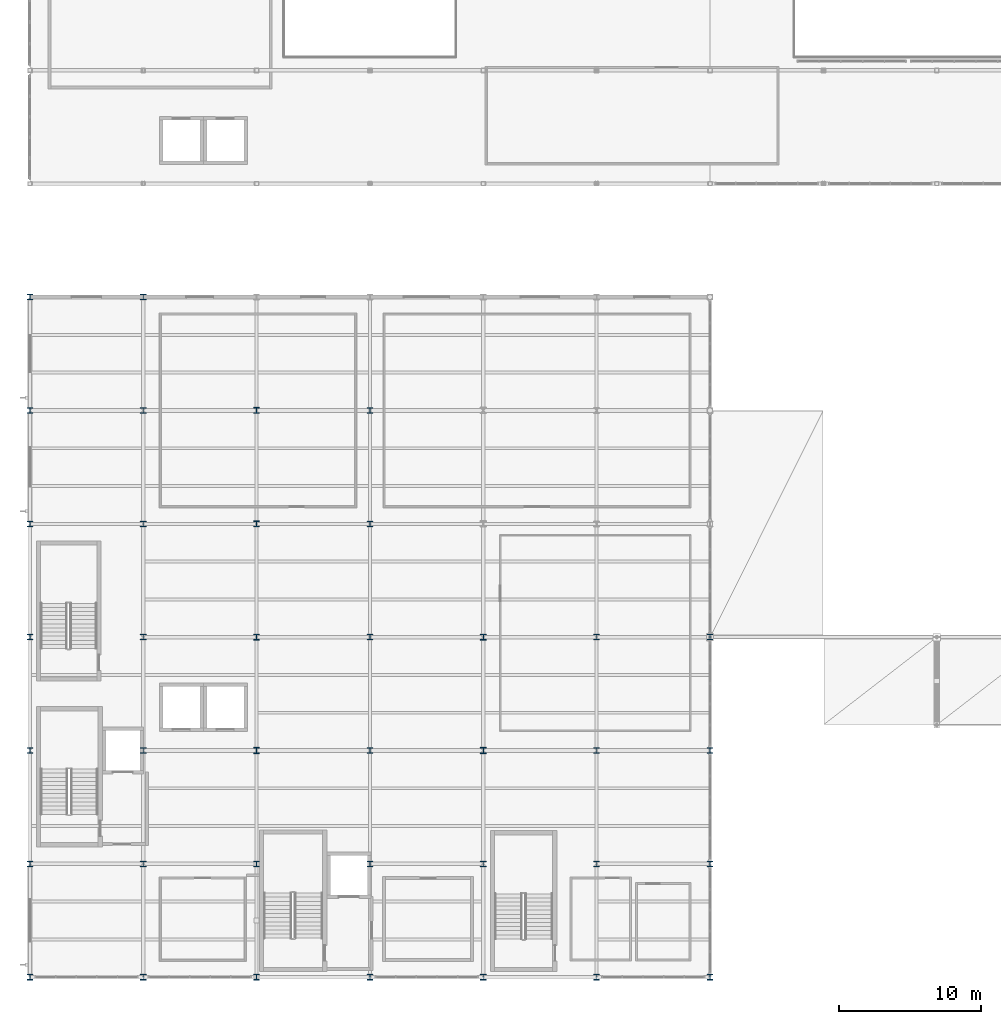
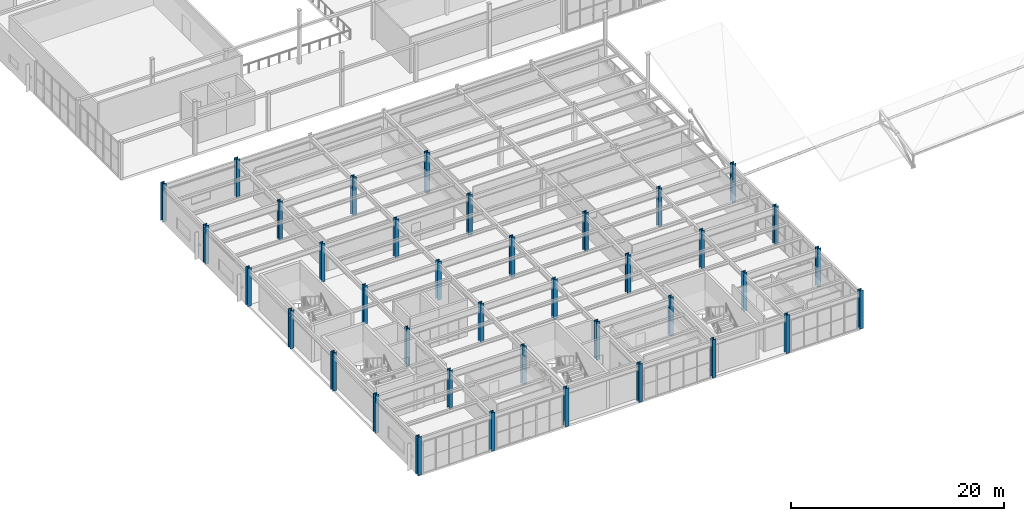
# One storey, part 1 of 83: 38 columns.
"""IFC4 building model written with IfcOpenShell, lengths in metres."""

from ifc_helpers import new_model, si_unit, direction, frame, origin, origin_2d, place, context, subcontext, project, spatial, i_section, extrude, material, material_profile, profile_set, type_object, element, save


model = new_model("IFC4")

# Units and contexts
model_context = context("Model", 3, precision=1e-05, world=origin(), true_north=direction((0.0, 1.0)))
body_context = subcontext(model_context, "Body", "Model", "MODEL_VIEW")
ifc_project = project(units=[si_unit("LENGTHUNIT", "METRE"), si_unit("AREAUNIT", "SQUARE_METRE"), si_unit("VOLUMEUNIT", "CUBIC_METRE"), si_unit("PLANEANGLEUNIT", "RADIAN"), si_unit("MASSUNIT", "GRAM", prefix="KILO")], contexts=[model_context])

# Site, building, storey
site_placement = place(None, origin())
site = spatial("IfcSite", under=ifc_project, at=site_placement, CompositionType="ELEMENT")
building_placement = place(site_placement, origin())
building = spatial("IfcBuilding", under=site, at=building_placement, Name="Drelvath Fold Interchange", CompositionType="ELEMENT")
storey_placement = place(building_placement, frame((0.0, 0.0, 11.199951171875)))
storey = spatial("IfcBuildingStorey", under=building, at=storey_placement, Name="L02", CompositionType="ELEMENT", Elevation=11.199951171875)

# Columns
ifc_material = material(Name="Steel ASTM A992 Grade 50", Category="steel")
ifc_material_profile_1 = material_profile(ifc_material, i_section(OverallWidth=0.39892578125, OverallDepth=0.39306640625, WebThickness=0.022705078125, FlangeThickness=0.03662109375, at=origin_2d()), Name="W14X193")
ifc_profile_set_1 = profile_set([ifc_material_profile_1], Name="Steel ASTM A992 Grade 50")
column_type_1 = type_object("IfcColumnType", Name="COL-W14X193", PredefinedType="COLUMN", material=ifc_profile_set_1)
for number, where, z_axis, x_axis, name in (
    (1, (4.0, 3.0, 0.0), (0.0, 0.0, 1.0), (1.0, 0.0, 0.0), "L02 column (4,3)"),
    (2, (4.0, 11.0, 0.0), (0.0, 0.0, 1.0), (1.0, 0.0, 0.0), "L02 column (4,11)"),
    (3, (4.0, 19.0, 0.0), (0.0, 0.0, 1.0), (1.0, 0.0, 0.0), "L02 column (4,19)"),
    (4, (4.0, 27.0, 0.0), (0.0, 0.0, 1.0), (1.0, 0.0, 0.0), "L02 column (4,27)"),
    (5, (4.0, 35.0, 0.0), (0.0, 0.0, 1.0), (1.0, 0.0, 0.0), "L02 column (4,35)"),
    (6, (4.0, 43.0, 0.0), (0.0, 0.0, 1.0), (1.0, 0.0, 0.0), "L02 column (4,43)"),
    (7, (4.0, 51.0, 0.0), (0.0, 0.0, 1.0), (1.0, 0.0, 0.0), "L02 column (4,51)"),
    (8, (12.0, 3.0, 0.0), (0.0, 0.0, 1.0), (1.0, 0.0, 0.0), "L02 column (12,3)"),
    (9, (12.0, 11.0, 0.0), (0.0, 0.0, 1.0), (1.0, 0.0, 0.0), "L02 column (12,11)"),
    (10, (12.0, 19.0, 0.0), (0.0, 0.0, 1.0), (1.0, 0.0, 0.0), "L02 column (12,19)"),
    (11, (12.0, 27.0, 0.0), (0.0, 0.0, 1.0), (1.0, 0.0, 0.0), "L02 column (12,27)"),
    (12, (12.0, 35.0, 0.0), (0.0, 0.0, 1.0), (1.0, 0.0, 0.0), "L02 column (12,35)"),
    (13, (12.0, 43.0, 0.0), (0.0, 0.0, 1.0), (1.0, 0.0, 0.0), "L02 column (12,43)"),
    (14, (12.0, 51.0, 0.0), (0.0, 0.0, 1.0), (1.0, 0.0, 0.0), "L02 column (12,51)"),
    (15, (20.0, 3.0, 0.0), (0.0, 0.0, 1.0), (1.0, 0.0, 0.0), "L02 column (20,3)"),
    (16, (20.0, 11.0, 0.0), (0.0, 0.0, 1.0), (1.0, 0.0, 0.0), "L02 column (20,11)"),
    (17, (28.0, 3.0, 0.0), (0.0, 0.0, 1.0), (1.0, 0.0, 0.0), "L02 column (28,3)"),
    (18, (28.0, 11.0, 0.0), (0.0, 0.0, 1.0), (1.0, 0.0, 0.0), "L02 column (28,11)"),
):
    element("IfcColumn", number, at=place(storey_placement, frame(where, z_axis=z_axis, x_axis=x_axis)), inside=storey, type_object=column_type_1, Name=name, PredefinedType="COLUMN", context=body_context, shape_type="SweptSolid", body=[
        extrude(i_section(OverallWidth=0.39892578125, OverallDepth=0.39306640625, WebThickness=0.022705078125, FlangeThickness=0.03662109375, at=origin_2d()), origin(), (0.0, 0.0, 1.0), 4.400146484375),
    ])
for number, where, z_axis, x_axis, name in (
    (19, (28.0, 19.0, -0.25), (0.0, 0.0, 1.0), (1.0, 0.0, 0.0), "L02 column (28,19)"),
    (20, (28.0, 27.0, -0.25), (0.0, 0.0, 1.0), (1.0, 0.0, 0.0), "L02 column (28,27)"),
    (21, (28.0, 35.0, -0.25), (0.0, 0.0, 1.0), (1.0, 0.0, 0.0), "L02 column (28,35)"),
    (22, (28.0, 43.0, -0.25), (0.0, 0.0, 1.0), (1.0, 0.0, 0.0), "L02 column (28,43)"),
):
    element("IfcColumn", number, at=place(storey_placement, frame(where, z_axis=z_axis, x_axis=x_axis)), inside=storey, type_object=column_type_1, Name=name, PredefinedType="COLUMN", context=body_context, shape_type="SweptSolid", body=[
        extrude(i_section(OverallWidth=0.39892578125, OverallDepth=0.39306640625, WebThickness=0.022705078125, FlangeThickness=0.03662109375, at=origin_2d()), origin(), (0.0, 0.0, 1.0), 4.650146484375),
    ])
for number, where, z_axis, x_axis, name in (
    (23, (36.0, 3.0, 0.0), (0.0, 0.0, 1.0), (1.0, 0.0, 0.0), "L02 column (36,3)"),
    (24, (36.0, 11.0, 0.0), (0.0, 0.0, 1.0), (1.0, 0.0, 0.0), "L02 column (36,11)"),
    (25, (44.0, 3.0, 0.0), (0.0, 0.0, 1.0), (1.0, 0.0, 0.0), "L02 column (44,3)"),
    (26, (44.0, 11.0, 0.0), (0.0, 0.0, 1.0), (1.0, 0.0, 0.0), "L02 column (44,11)"),
    (27, (44.0, 19.0, 0.0), (0.0, 0.0, 1.0), (1.0, 0.0, 0.0), "L02 column (44,19)"),
    (28, (44.0, 27.0, 0.0), (0.0, 0.0, 1.0), (1.0, 0.0, 0.0), "L02 column (44,27)"),
    (29, (52.0, 3.0, 0.0), (0.0, 0.0, 1.0), (1.0, 0.0, 0.0), "L02 column (52,3)"),
    (30, (52.0, 11.0, 0.0), (0.0, 0.0, 1.0), (1.0, 0.0, 0.0), "L02 column (52,11)"),
    (31, (52.0, 19.0, 0.0), (0.0, 0.0, 1.0), (1.0, 0.0, 0.0), "L02 column (52,19)"),
    (32, (52.0, 27.0, 0.0), (0.0, 0.0, 1.0), (1.0, 0.0, 0.0), "L02 column (52,27)"),
):
    element("IfcColumn", number, at=place(storey_placement, frame(where, z_axis=z_axis, x_axis=x_axis)), inside=storey, type_object=column_type_1, Name=name, PredefinedType="COLUMN", context=body_context, shape_type="SweptSolid", body=[
        extrude(i_section(OverallWidth=0.39892578125, OverallDepth=0.39306640625, WebThickness=0.022705078125, FlangeThickness=0.03662109375, at=origin_2d()), origin(), (0.0, 0.0, 1.0), 4.400146484375),
    ])
ifc_material_profile_2 = material_profile(ifc_material, i_section(OverallWidth=0.408935546875, OverallDepth=0.425048828125, WebThickness=0.03271484375, FlangeThickness=0.052490234375, at=origin_2d()), Name="W14X283")
ifc_profile_set_2 = profile_set([ifc_material_profile_2], Name="Steel ASTM A992 Grade 50")
column_type_2 = type_object("IfcColumnType", Name="COL-W14X283", PredefinedType="COLUMN", material=ifc_profile_set_2)
for number, where, z_axis, x_axis, name in (
    (33, (20.0, 19.0, 0.0), (0.0, 0.0, 1.0), (1.0, 0.0, 0.0), "L02 column (20,19)"),
    (34, (20.0, 27.0, 0.0), (0.0, 0.0, 1.0), (1.0, 0.0, 0.0), "L02 column (20,27)"),
    (35, (20.0, 35.0, 0.0), (0.0, 0.0, 1.0), (1.0, 0.0, 0.0), "L02 column (20,35)"),
    (36, (20.0, 43.0, 0.0), (0.0, 0.0, 1.0), (1.0, 0.0, 0.0), "L02 column (20,43)"),
    (37, (36.0, 19.0, 0.0), (0.0, 0.0, 1.0), (1.0, 0.0, 0.0), "L02 column (36,19)"),
    (38, (36.0, 27.0, 0.0), (0.0, 0.0, 1.0), (1.0, 0.0, 0.0), "L02 column (36,27)"),
):
    element("IfcColumn", number, at=place(storey_placement, frame(where, z_axis=z_axis, x_axis=x_axis)), inside=storey, type_object=column_type_2, Name=name, PredefinedType="COLUMN", context=body_context, shape_type="SweptSolid", body=[
        extrude(i_section(OverallWidth=0.408935546875, OverallDepth=0.425048828125, WebThickness=0.03271484375, FlangeThickness=0.052490234375, at=origin_2d()), origin(), (0.0, 0.0, 1.0), 4.400146484375),
    ])

save(model, "model.ifc")
